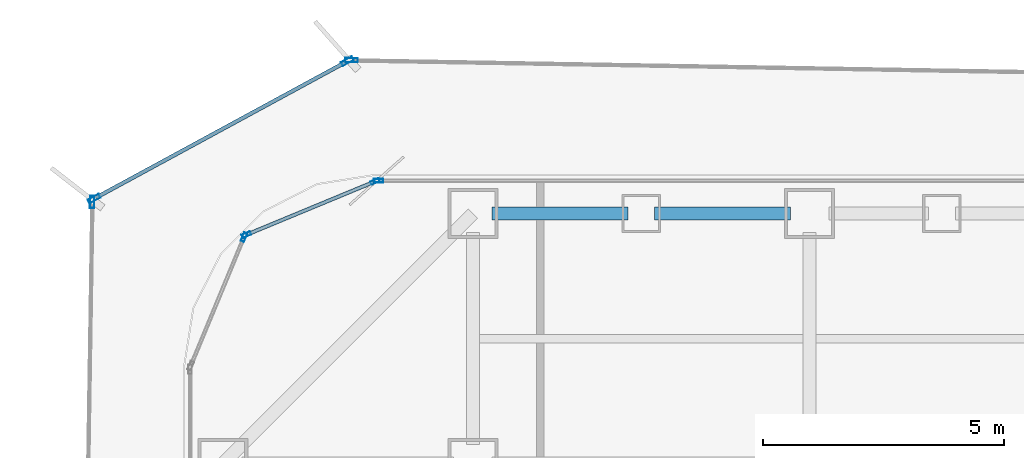
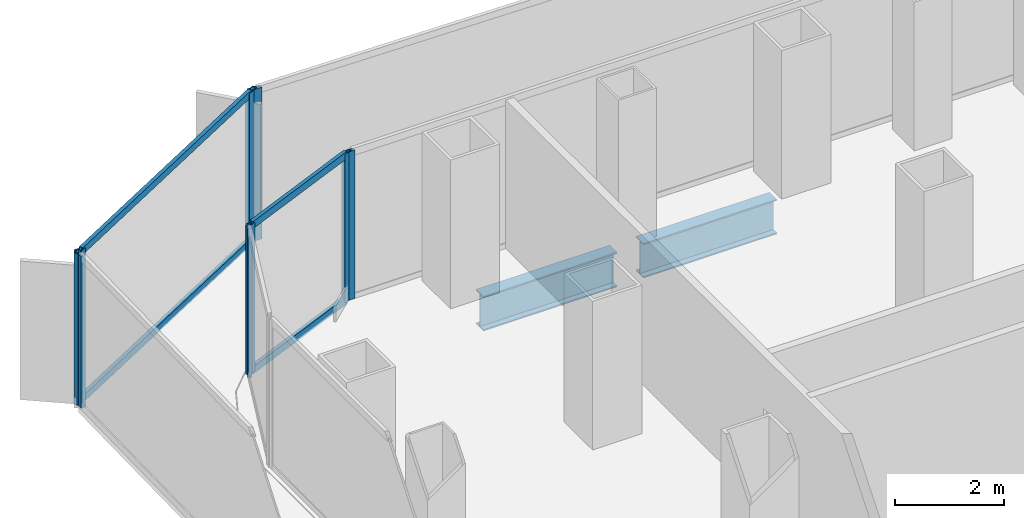
# One storey, part 11 of 21: 12 members, 2 beams, 6 elements without a shape of their own.
"""IFC4 building model written with IfcOpenShell, lengths in metres."""

from ifc_helpers import new_model, si_unit, direction, frame, origin, origin_2d, place, context, subcontext, project, spatial, hollow_rectangle, i_section, extrude, source, transform, mapped, material, layer, layer_set, material_profile, profile_set, type_object, element, aggregate, save


model = new_model("IFC4")

# Units and contexts
model_context = context("Model", 3, precision=1e-05, world=origin(), true_north=direction((0.0, 1.0)))
body_context = subcontext(model_context, "Body", "Model", "MODEL_VIEW")
ifc_project = project(units=[si_unit("LENGTHUNIT", "METRE"), si_unit("AREAUNIT", "SQUARE_METRE"), si_unit("VOLUMEUNIT", "CUBIC_METRE"), si_unit("PLANEANGLEUNIT", "RADIAN"), si_unit("MASSUNIT", "GRAM", prefix="KILO")], contexts=[model_context])

# Site, building, storey
site_placement = place(None, origin())
site = spatial("IfcSite", under=ifc_project, at=site_placement, CompositionType="ELEMENT")
building_placement = place(site_placement, origin())
building = spatial("IfcBuilding", under=site, at=building_placement, Name="Kolveth Station Tower", CompositionType="ELEMENT")
storey_placement = place(building_placement, frame((0.0, 0.0, 36.89990234375)))
storey = spatial("IfcBuildingStorey", under=building, at=storey_placement, Name="L09", CompositionType="ELEMENT", Elevation=36.89990234375)

# Beams
ifc_material_1 = material(Name="Steel S355", Category="steel")
ifc_material_profile_1 = material_profile(ifc_material_1, i_section(OverallWidth=0.26904296875, OverallDepth=0.77490234375, WebThickness=0.01708984375, FlangeThickness=0.0283203125, at=origin_2d()), Name="W760x220")
ifc_profile_set_1 = profile_set([ifc_material_profile_1], Name="Steel S355")
beam_type = type_object("IfcBeamType", Name="Beam_SP1", PredefinedType="SPANDREL", material=ifc_profile_set_1)
shared_shape_1 = source(origin(), body_context, "Body", "SweptSolid", [
    extrude(i_section(OverallWidth=0.26904296875, OverallDepth=0.77490234375, WebThickness=0.01708984375, FlangeThickness=0.0283203125, at=origin_2d()), origin(), (0.0, 0.0, 1.0), 2.820068359375),
])
for number, where, z_axis, x_axis, name in (
    (1, (6.39990234375, 39.699951171875, -0.66748046875), (1.0, 0.0, 0.0), (0.0, 1.0, 0.0), "L09 Perimeter Spandrel BM-L09-PN-1"),
    (2, (9.780029296875, 39.699951171875, -0.66748046875), (1.0, 0.0, 0.0), (0.0, 1.0, 0.0), "L09 Perimeter Spandrel BM-L09-PN-2"),
):
    element("IfcBeam", number, at=place(storey_placement, frame(where, z_axis=z_axis, x_axis=x_axis)), inside=storey, type_object=beam_type, Name=name, PredefinedType="SPANDREL", context=body_context, shape_type="MappedRepresentation", body=[
        mapped(shared_shape_1, transform((0.0, 0.0, 0.0), x_axis=(1.0, 0.0, 0.0), y_axis=(0.0, 1.0, 0.0), z_axis=(0.0, 0.0, 1.0), scale=1.0)),
    ])

# Curtain wall, member
ifc_material_2 = material(Name="Aluminium 6063-T6 and low-E dark glass", Category="aluminium")
ifc_layer_1 = layer(ifc_material_2, 0.179931640625)
ifc_layer_set_1 = layer_set([ifc_layer_1], Name="Aluminium 6063-T6 and low-E dark glass")
curtain_wall_type_1 = type_object("IfcCurtainWallType", Name="CurtainWall_CW-Z1", PredefinedType="NOTDEFINED", material=ifc_layer_set_1)
curtain_wall_1_placement = place(storey_placement, origin())
curtain_wall_1 = element("IfcCurtainWall", 3, at=curtain_wall_1_placement, inside=storey, type_object=curtain_wall_type_1, Name="L09 Inner Thermal Curtain Wall 6", PredefinedType="NOTDEFINED")
ifc_material_3 = material(Name="Black anodized aluminium 6063-T6", Category="aluminium")
ifc_material_profile_2 = material_profile(ifc_material_3, hollow_rectangle(XDim=0.074951171875, YDim=0.18994140625, WallThickness=0.0048828125, at=origin_2d()), Name="ALU-75x190x5")
ifc_profile_set_2 = profile_set([ifc_material_profile_2], Name="Black anodized aluminium 6063-T6")
member_type_1 = type_object("IfcMemberType", Name="Mullion_ML1", PredefinedType="MULLION", material=ifc_profile_set_2)
shared_shape_2 = source(origin(), body_context, "Body", "SweptSolid", [
    extrude(hollow_rectangle(XDim=0.074951171875, YDim=0.18994140625, WallThickness=0.0048828125, at=origin_2d()), origin(), (0.0, 0.0, 1.0), 3.320068359375),
])
member_1_placement = place(storey_placement, frame((4.03759765625, 40.3798828125, 0.0), z_axis=(0.0, 0.0, 1.0), x_axis=(0.0, -1.0, 0.0)))
member_1 = element("IfcMember", 4, at=member_1_placement, type_object=member_type_1, Name="CW-Z1 mullion 3", PredefinedType="MULLION", context=body_context, shape_type="MappedRepresentation", body=[
    mapped(shared_shape_2, transform((0.0, 0.0, 0.0), x_axis=(1.0, 0.0, 0.0), y_axis=(0.0, 1.0, 0.0), z_axis=(0.0, 0.0, 1.0), scale=1.0)),
])
aggregate(curtain_wall_1, [member_1])

# Curtain wall, members
curtain_wall_2_placement = place(storey_placement, origin())
curtain_wall_2 = element("IfcCurtainWall", 5, at=curtain_wall_2_placement, inside=storey, type_object=curtain_wall_type_1, Name="L09 Inner Thermal Curtain Wall 7", PredefinedType="NOTDEFINED")
member_2_placement = place(storey_placement, frame((3.96533203125, 40.36572265625, 0.0), z_axis=(0.0, 0.0, 1.0), x_axis=(0.382672990201, -0.923883857728, 0.0)))
member_2 = element("IfcMember", 6, at=member_2_placement, type_object=member_type_1, Name="CW-Z1 mullion 1", PredefinedType="MULLION", context=body_context, shape_type="MappedRepresentation", body=[
    mapped(shared_shape_2, transform((0.0, 0.0, 0.0), x_axis=(1.0, 0.0, 0.0), y_axis=(0.0, 1.0, 0.0), z_axis=(0.0, 0.0, 1.0), scale=1.0)),
])
member_3_placement = place(storey_placement, frame((1.291015625, 39.258056640625, 0.0), z_axis=(0.0, 0.0, 1.0), x_axis=(0.382672990201, -0.923883857728, 0.0)))
member_3 = element("IfcMember", 7, at=member_3_placement, type_object=member_type_1, Name="CW-Z1 mullion 2", PredefinedType="MULLION", context=body_context, shape_type="MappedRepresentation", body=[
    mapped(shared_shape_2, transform((0.0, 0.0, 0.0), x_axis=(1.0, 0.0, 0.0), y_axis=(0.0, 1.0, 0.0), z_axis=(0.0, 0.0, 1.0), scale=1.0)),
])

# Curtain wall, member
curtain_wall_3_placement = place(storey_placement, origin())
curtain_wall_3 = element("IfcCurtainWall", 8, at=curtain_wall_3_placement, inside=storey, type_object=curtain_wall_type_1, Name="L09 Inner Thermal Curtain Wall 8", PredefinedType="NOTDEFINED")
member_4_placement = place(storey_placement, frame((1.241943359375, 39.208984375, 0.0), z_axis=(0.0, 0.0, 1.0), x_axis=(0.923883857728, -0.382672990201, 0.0)))
member_4 = element("IfcMember", 9, at=member_4_placement, type_object=member_type_1, Name="CW-Z1 mullion 1", PredefinedType="MULLION", context=body_context, shape_type="MappedRepresentation", body=[
    mapped(shared_shape_2, transform((0.0, 0.0, 0.0), x_axis=(1.0, 0.0, 0.0), y_axis=(0.0, 1.0, 0.0), z_axis=(0.0, 0.0, 1.0), scale=1.0)),
])
aggregate(curtain_wall_3, [member_4])

# Member
ifc_material_profile_3 = material_profile(ifc_material_3, hollow_rectangle(XDim=0.074951171875, YDim=0.159912109375, WallThickness=0.0048828125, at=origin_2d()), Name="ALU-75x160x5")
ifc_profile_set_3 = profile_set([ifc_material_profile_3], Name="Black anodized aluminium 6063-T6")
member_type_2 = type_object("IfcMemberType", Name="Transom_TR1", PredefinedType="USERDEFINED", material=ifc_profile_set_3)
shared_shape_3 = source(origin(), body_context, "Body", "SweptSolid", [
    extrude(hollow_rectangle(XDim=0.074951171875, YDim=0.159912109375, WallThickness=0.0048828125, at=origin_2d()), origin(), (0.0, 0.0, 1.0), 2.819580078125),
])
member_5_placement = place(storey_placement, frame((3.9306640625, 40.351318359375, 0.03759765625), z_axis=(-0.923869084389, -0.382708655389, 0.0), x_axis=(0.382708655389, -0.923869084389, 0.0)))
member_5 = element("IfcMember", 10, at=member_5_placement, type_object=member_type_2, Name="CW-Z1 transom 1.1", ObjectType="TRANSOM", PredefinedType="USERDEFINED", context=body_context, shape_type="MappedRepresentation", body=[
    mapped(shared_shape_3, transform((0.0, 0.0, 0.0), x_axis=(1.0, 0.0, 0.0), y_axis=(0.0, 1.0, 0.0), z_axis=(0.0, 0.0, 1.0), scale=1.0)),
])

member_6_placement = place(storey_placement, frame((3.9306640625, 40.351318359375, 3.28271484375), z_axis=(-0.923869084389, -0.382708655389, 0.0), x_axis=(0.382708655389, -0.923869084389, 0.0)))
member_6 = element("IfcMember", 11, at=member_6_placement, type_object=member_type_2, Name="CW-Z1 transom 1.2", ObjectType="TRANSOM", PredefinedType="USERDEFINED", context=body_context, shape_type="MappedRepresentation", body=[
    mapped(shared_shape_3, transform((0.0, 0.0, 0.0), x_axis=(1.0, 0.0, 0.0), y_axis=(0.0, 1.0, 0.0), z_axis=(0.0, 0.0, 1.0), scale=1.0)),
])

aggregate(curtain_wall_2, [member_2, member_3, member_5, member_6])

# Curtain wall, member
ifc_material_4 = material(Name="Black anodized aluminium 6063-T6 and dark solar glass", Category="aluminium")
ifc_layer_2 = layer(ifc_material_4, 0.159912109375)
ifc_layer_set_2 = layer_set([ifc_layer_2], Name="Black anodized aluminium 6063-T6 and dark solar glass")
curtain_wall_type_2 = type_object("IfcCurtainWallType", Name="OUTER SKIN CW-OS", PredefinedType="NOTDEFINED", material=ifc_layer_set_2)
curtain_wall_4_placement = place(storey_placement, origin())
curtain_wall_4 = element("IfcCurtainWall", 12, at=curtain_wall_4_placement, inside=storey, type_object=curtain_wall_type_2, Name="L09 Outer Ventilated Skin Curtain Wall 4", PredefinedType="NOTDEFINED")
ifc_material_profile_4 = material_profile(ifc_material_3, hollow_rectangle(XDim=0.090087890625, YDim=0.260009765625, WallThickness=0.0048828125, at=origin_2d()), Name="ALU-90x260x5")
ifc_profile_set_4 = profile_set([ifc_material_profile_4], Name="Black anodized aluminium 6063-T6")
member_type_3 = type_object("IfcMemberType", Name="FIN MULLION ML-OS", PredefinedType="MULLION", material=ifc_profile_set_4)
shared_shape_4 = source(origin(), body_context, "Body", "SweptSolid", [
    extrude(hollow_rectangle(XDim=0.090087890625, YDim=0.260009765625, WallThickness=0.0048828125, at=origin_2d()), origin(), (0.0, 0.0, 1.0), 3.39013671875),
])
member_7_placement = place(storey_placement, frame((3.476318359375, 42.88720703125, 0.0), z_axis=(0.0, 0.0, 1.0), x_axis=(-0.017249564653, -0.999851215191, 0.0)))
member_7 = element("IfcMember", 13, at=member_7_placement, type_object=member_type_3, Name="CW-OS mullion 2", PredefinedType="MULLION", context=body_context, shape_type="MappedRepresentation", body=[
    mapped(shared_shape_4, transform((0.0, 0.0, 0.0), x_axis=(1.0, 0.0, 0.0), y_axis=(0.0, 1.0, 0.0), z_axis=(0.0, 0.0, 1.0), scale=1.0)),
])
aggregate(curtain_wall_4, [member_7])

# Curtain wall, members
curtain_wall_5_placement = place(storey_placement, origin())
curtain_wall_5 = element("IfcCurtainWall", 14, at=curtain_wall_5_placement, inside=storey, type_object=curtain_wall_type_2, Name="L09 Outer Ventilated Skin Curtain Wall 5", PredefinedType="NOTDEFINED")
member_8_placement = place(storey_placement, frame((3.391845703125, 42.866455078125, 0.0), z_axis=(0.0, 0.0, 1.0), x_axis=(0.477035997008, -0.878883756568, 0.0)))
member_8 = element("IfcMember", 15, at=member_8_placement, type_object=member_type_3, Name="CW-OS mullion 1", PredefinedType="MULLION", context=body_context, shape_type="MappedRepresentation", body=[
    mapped(shared_shape_4, transform((0.0, 0.0, 0.0), x_axis=(1.0, 0.0, 0.0), y_axis=(0.0, 1.0, 0.0), z_axis=(0.0, 0.0, 1.0), scale=1.0)),
])
member_9_placement = place(storey_placement, frame((-1.875732421875, 40.007568359375, 0.0), z_axis=(0.0, 0.0, 1.0), x_axis=(0.477035997008, -0.878883756568, 0.0)))
member_9 = element("IfcMember", 16, at=member_9_placement, type_object=member_type_3, Name="CW-OS mullion 2", PredefinedType="MULLION", context=body_context, shape_type="MappedRepresentation", body=[
    mapped(shared_shape_4, transform((0.0, 0.0, 0.0), x_axis=(1.0, 0.0, 0.0), y_axis=(0.0, 1.0, 0.0), z_axis=(0.0, 0.0, 1.0), scale=1.0)),
])

# Curtain wall, member
curtain_wall_6_placement = place(storey_placement, origin())
curtain_wall_6 = element("IfcCurtainWall", 17, at=curtain_wall_6_placement, inside=storey, type_object=curtain_wall_type_2, Name="L09 Outer Ventilated Skin Curtain Wall 6", PredefinedType="NOTDEFINED")
member_10_placement = place(storey_placement, frame((-1.916015625, 39.94091796875, 0.0), z_axis=(0.0, 0.0, 1.0), x_axis=(0.999876851906, -0.015693343241, 0.0)))
member_10 = element("IfcMember", 18, at=member_10_placement, type_object=member_type_3, Name="CW-OS mullion 1", PredefinedType="MULLION", context=body_context, shape_type="MappedRepresentation", body=[
    mapped(shared_shape_4, transform((0.0, 0.0, 0.0), x_axis=(1.0, 0.0, 0.0), y_axis=(0.0, 1.0, 0.0), z_axis=(0.0, 0.0, 1.0), scale=1.0)),
])
aggregate(curtain_wall_6, [member_10])

# Member
ifc_material_profile_5 = material_profile(ifc_material_3, hollow_rectangle(XDim=0.080078125, YDim=0.14990234375, WallThickness=0.0048828125, at=origin_2d()), Name="ALU-80x150x5")
ifc_profile_set_5 = profile_set([ifc_material_profile_5], Name="Black anodized aluminium 6063-T6")
member_type_4 = type_object("IfcMemberType", Name="Transom_TR-OS", PredefinedType="USERDEFINED", material=ifc_profile_set_5)
shared_shape_5 = source(origin(), body_context, "Body", "SweptSolid", [
    extrude(hollow_rectangle(XDim=0.080078125, YDim=0.14990234375, WallThickness=0.0048828125, at=origin_2d()), origin(), (0.0, 0.0, 1.0), 5.9033203125),
])
member_11_placement = place(storey_placement, frame((3.352294921875, 42.844970703125, 0.0400390625), z_axis=(-0.878901980233, -0.477002420478, 0.0), x_axis=(0.477002420478, -0.878901980233, 0.0)))
member_11 = element("IfcMember", 19, at=member_11_placement, type_object=member_type_4, Name="CW-OS transom 1.1", ObjectType="TRANSOM", PredefinedType="USERDEFINED", context=body_context, shape_type="MappedRepresentation", body=[
    mapped(shared_shape_5, transform((0.0, 0.0, 0.0), x_axis=(1.0, 0.0, 0.0), y_axis=(0.0, 1.0, 0.0), z_axis=(0.0, 0.0, 1.0), scale=1.0)),
])

member_12_placement = place(storey_placement, frame((3.352294921875, 42.844970703125, 3.35009765625), z_axis=(-0.878901980233, -0.477002420478, 0.0), x_axis=(0.477002420478, -0.878901980233, 0.0)))
member_12 = element("IfcMember", 20, at=member_12_placement, type_object=member_type_4, Name="CW-OS transom 1.2", ObjectType="TRANSOM", PredefinedType="USERDEFINED", context=body_context, shape_type="MappedRepresentation", body=[
    mapped(shared_shape_5, transform((0.0, 0.0, 0.0), x_axis=(1.0, 0.0, 0.0), y_axis=(0.0, 1.0, 0.0), z_axis=(0.0, 0.0, 1.0), scale=1.0)),
])

aggregate(curtain_wall_5, [member_8, member_9, member_11, member_12])

save(model, "model.ifc")
